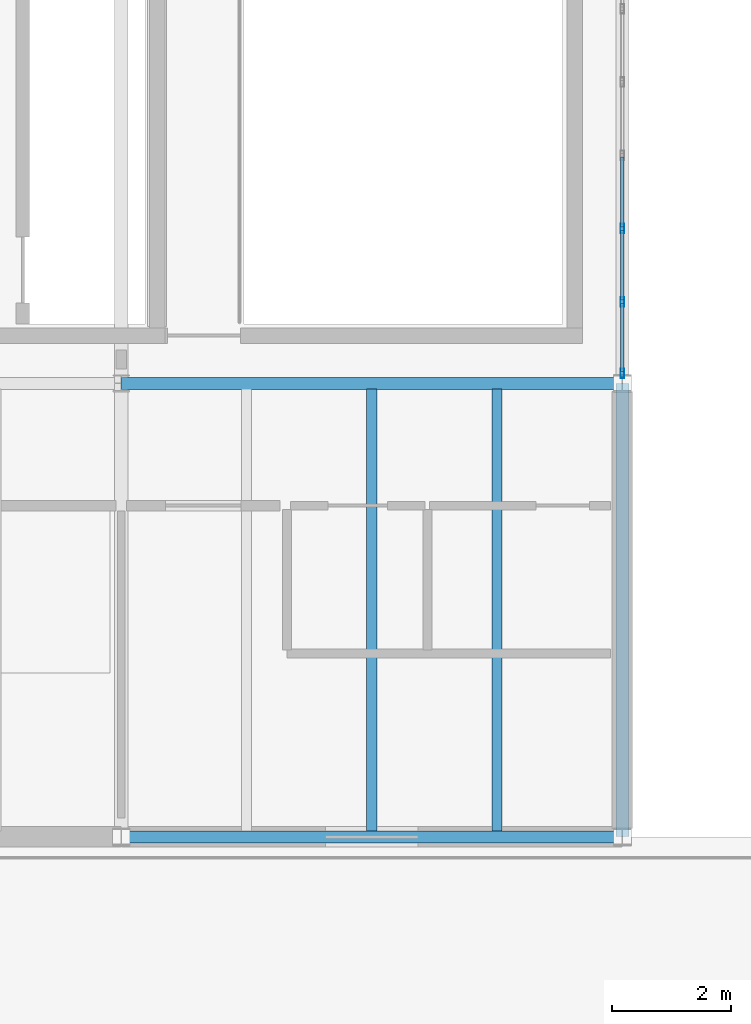
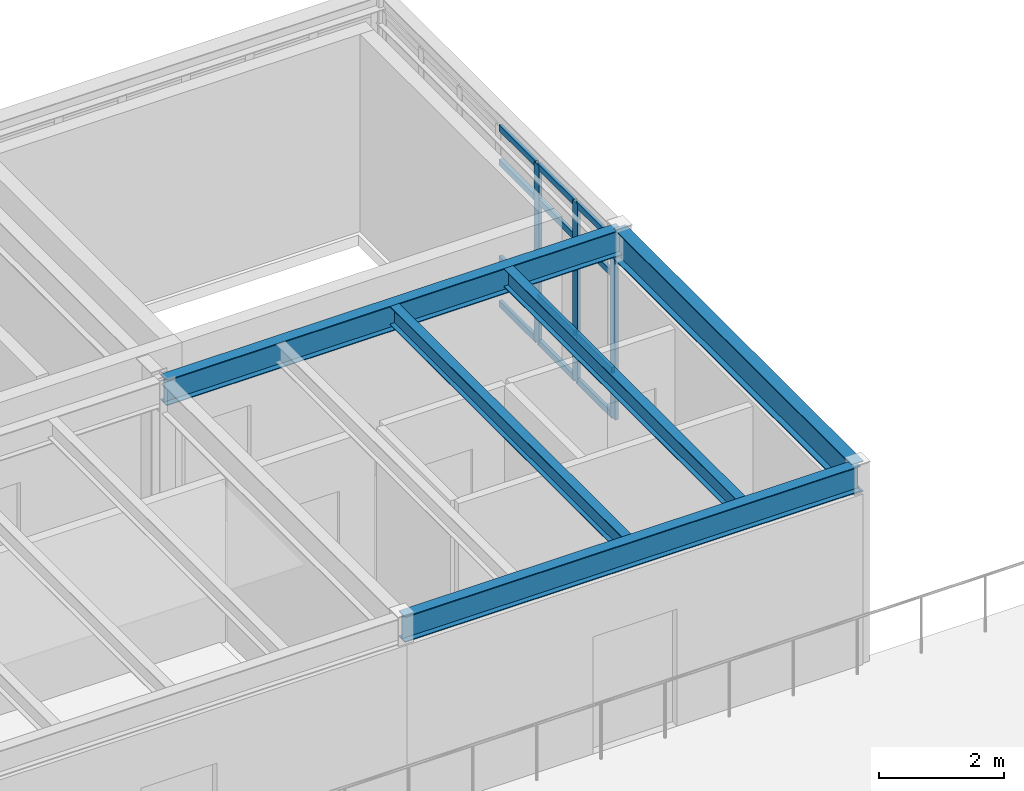
# One storey, part 11 of 26: 15 members, 5 beams, 1 element without a shape of its own.
"""IFC4 building model written with IfcOpenShell, lengths in metres."""

from ifc_helpers import new_model, si_unit, direction, frame, origin, origin_2d, place, context, subcontext, project, spatial, hollow_rectangle, i_section, extrude, material, layer, layer_set, material_profile, profile_set, type_object, element, aggregate, save


model = new_model("IFC4")

# Units and contexts
model_context = context("Model", 3, precision=1e-05, world=origin(), true_north=direction((0.0, 1.0)))
body_context = subcontext(model_context, "Body", "Model", "MODEL_VIEW")
ifc_project = project(units=[si_unit("LENGTHUNIT", "METRE"), si_unit("AREAUNIT", "SQUARE_METRE"), si_unit("VOLUMEUNIT", "CUBIC_METRE"), si_unit("PLANEANGLEUNIT", "RADIAN"), si_unit("MASSUNIT", "GRAM", prefix="KILO")], contexts=[model_context])

# Site, building, storey
site_placement = place(None, origin())
site = spatial("IfcSite", under=ifc_project, at=site_placement, CompositionType="ELEMENT")
building_placement = place(site_placement, origin())
building = spatial("IfcBuilding", under=site, at=building_placement, Name="Montecoro Central Library", CompositionType="ELEMENT")
storey_placement = place(building_placement, frame((0.0, 0.0, 21.419921875)))
storey = spatial("IfcBuildingStorey", under=building, at=storey_placement, Name="L05", CompositionType="ELEMENT", Elevation=21.419921875)

# Beams
ifc_material_1 = material(Name="Steel S355", Category="steel")
ifc_material_profile_1 = material_profile(ifc_material_1, i_section(OverallWidth=0.199951171875, OverallDepth=0.5, WebThickness=0.01025390625, FlangeThickness=0.01611328125, at=origin_2d()), Name="IPE 500")
ifc_profile_set_1 = profile_set([ifc_material_profile_1], Name="Steel S355")
beam_type_1 = type_object("IfcBeamType", Name="BM-G-IPE500", PredefinedType="USERDEFINED", material=ifc_profile_set_1)
for number, where, z_axis, x_axis, name in (
    (1, (100.0048828125, 103.800048828125, 3.5751953125), (1.0, 0.0, 0.0), (0.0, 1.0, 0.0), "V2-L05-BX-1314-P"),
    (2, (100.0048828125, 111.39990234375, 3.5751953125), (1.0, 0.0, 0.0), (0.0, 1.0, 0.0), "V2-L05-BX-1314-Q"),
):
    element("IfcBeam", number, at=place(storey_placement, frame(where, z_axis=z_axis, x_axis=x_axis)), inside=storey, type_object=beam_type_1, Name=name, ObjectType="GIRDER", PredefinedType="USERDEFINED", context=body_context, shape_type="SweptSolid", body=[
        extrude(i_section(OverallWidth=0.199951171875, OverallDepth=0.5, WebThickness=0.01025390625, FlangeThickness=0.01611328125, at=origin_2d()), origin(), (0.0, 0.0, 1.0), 8.39013671875),
    ])
ifc_material_2 = material(Name="Steel S355J2", Category="steel")
ifc_material_profile_2 = material_profile(ifc_material_2, i_section(OverallWidth=0.219970703125, OverallDepth=0.60009765625, WebThickness=0.011962890625, FlangeThickness=0.01904296875, at=origin_2d()), Name="IPE 600")
ifc_profile_set_2 = profile_set([ifc_material_profile_2], Name="Steel S355J2")
beam_type_2 = type_object("IfcBeamType", Name="BM-G-IPE600", PredefinedType="USERDEFINED", material=ifc_profile_set_2)
beam_placement = place(storey_placement, frame((108.39990234375, 103.804931640625, 3.525146484375), z_axis=(0.0, 1.0, 0.0), x_axis=(-1.0, 0.0, 0.0)))
element("IfcBeam", 3, at=beam_placement, inside=storey, type_object=beam_type_2, Name="V2-L05-BY-14-PQ", ObjectType="GIRDER", PredefinedType="USERDEFINED", context=body_context, shape_type="SweptSolid", body=[
    extrude(i_section(OverallWidth=0.219970703125, OverallDepth=0.60009765625, WebThickness=0.011962890625, FlangeThickness=0.01904296875, at=origin_2d()), origin(), (0.0, 0.0, 1.0), 7.590087890625),
])
ifc_material_profile_3 = material_profile(ifc_material_1, i_section(OverallWidth=0.169921875, OverallDepth=0.360107421875, WebThickness=0.008056640625, FlangeThickness=0.0126953125, at=origin_2d()), Name="IPE 360")
ifc_profile_set_3 = profile_set([ifc_material_profile_3], Name="Steel S355")
beam_type_3 = type_object("IfcBeamType", Name="BM-J-IPE360", PredefinedType="JOIST", material=ifc_profile_set_3)
for number, where, z_axis, x_axis, name in (
    (4, (104.199951171875, 103.89697265625, 3.64501953125), (0.0, 1.0, 0.0), (-1.0, 0.0, 0.0), "V2-L05-JS-1314-PQ-2"),
    (5, (106.300048828125, 103.89697265625, 3.64501953125), (0.0, 1.0, 0.0), (-1.0, 0.0, 0.0), "V2-L05-JS-1314-PQ-3"),
):
    element("IfcBeam", number, at=place(storey_placement, frame(where, z_axis=z_axis, x_axis=x_axis)), inside=storey, type_object=beam_type_3, Name=name, PredefinedType="JOIST", context=body_context, shape_type="SweptSolid", body=[
        extrude(i_section(OverallWidth=0.169921875, OverallDepth=0.360107421875, WebThickness=0.008056640625, FlangeThickness=0.0126953125, at=origin_2d()), origin(), (0.0, 0.0, 1.0), 7.406005859375),
    ])

# Curtain wall, members
ifc_material_3 = material(Name="Bronze-anodised aluminium and low-E glazing", Category="aluminium")
ifc_layer = layer(ifc_material_3, 0.159912109375)
ifc_layer_set = layer_set([ifc_layer], Name="Bronze-anodised aluminium and low-E glazing")
curtain_wall_type = type_object("IfcCurtainWallType", Name="CWT-024", PredefinedType="NOTDEFINED", material=ifc_layer_set)
curtain_wall_placement = place(storey_placement, origin())
curtain_wall = element("IfcCurtainWall", 6, at=curtain_wall_placement, inside=storey, type_object=curtain_wall_type, Name="V2-L05-CW-E1", PredefinedType="NOTDEFINED")
ifc_material_4 = material(Name="Bronze-anodised aluminium", Category="aluminium")
ifc_material_profile_4 = material_profile(ifc_material_4, hollow_rectangle(XDim=0.06005859375, YDim=0.159912109375, WallThickness=0.00390625, at=origin_2d()), Name="CWM 160x60x4.0")
ifc_profile_set_4 = profile_set([ifc_material_profile_4], Name="Bronze-anodised aluminium")
member_type_1 = type_object("IfcMemberType", Name="CWM-BRZ-60", PredefinedType="MULLION", material=ifc_profile_set_4)
member_1_placement = place(storey_placement, frame((108.39990234375, 111.568115234375, 0.0), z_axis=(0.0, 0.0, 1.0), x_axis=(-1.0, 0.0, 0.0)))
member_1 = element("IfcMember", 7, at=member_1_placement, type_object=member_type_1, Name="CW-024 mullion 1", PredefinedType="MULLION", context=body_context, shape_type="SweptSolid", body=[
    extrude(hollow_rectangle(XDim=0.06005859375, YDim=0.159912109375, WallThickness=0.00390625, at=origin_2d()), origin(), (0.0, 0.0, 1.0), 3.47998046875),
])
member_2_placement = place(storey_placement, frame((108.39990234375, 112.76611328125, 0.0), z_axis=(0.0, 0.0, 1.0), x_axis=(-1.0, 0.0, 0.0)))
member_2 = element("IfcMember", 8, at=member_2_placement, type_object=member_type_1, Name="CW-024 mullion 2", PredefinedType="MULLION", context=body_context, shape_type="SweptSolid", body=[
    extrude(hollow_rectangle(XDim=0.06005859375, YDim=0.159912109375, WallThickness=0.00390625, at=origin_2d()), origin(), (0.0, 0.0, 1.0), 3.47998046875),
])
member_3_placement = place(storey_placement, frame((108.39990234375, 113.994384765625, 0.0), z_axis=(0.0, 0.0, 1.0), x_axis=(-1.0, 0.0, 0.0)))
member_3 = element("IfcMember", 9, at=member_3_placement, type_object=member_type_1, Name="CW-024 mullion 3", PredefinedType="MULLION", context=body_context, shape_type="SweptSolid", body=[
    extrude(hollow_rectangle(XDim=0.06005859375, YDim=0.159912109375, WallThickness=0.00390625, at=origin_2d()), origin(), (0.0, 0.0, 1.0), 3.47998046875),
])
ifc_material_profile_5 = material_profile(ifc_material_4, hollow_rectangle(XDim=0.06005859375, YDim=0.1201171875, WallThickness=0.00390625, at=origin_2d()), Name="CWT 120x60x4.0")
ifc_profile_set_5 = profile_set([ifc_material_profile_5], Name="Bronze-anodised aluminium")
member_type_2 = type_object("IfcMemberType", Name="CWT-BRZ-60", PredefinedType="USERDEFINED", material=ifc_profile_set_5)
member_4_placement = place(storey_placement, frame((108.39990234375, 111.597900390625, 0.030029296875), z_axis=(0.0, 1.0, 0.0), x_axis=(-1.0, 0.0, 0.0)))
member_4 = element("IfcMember", 10, at=member_4_placement, type_object=member_type_2, Name="CW-024 transom 1.1", ObjectType="TRANSOM", PredefinedType="USERDEFINED", context=body_context, shape_type="SweptSolid", body=[
    extrude(hollow_rectangle(XDim=0.06005859375, YDim=0.1201171875, WallThickness=0.00390625, at=origin_2d()), origin(), (0.0, 0.0, 1.0), 1.13818359375),
])
member_5_placement = place(storey_placement, frame((108.39990234375, 111.597900390625, 0.900146484375), z_axis=(0.0, 1.0, 0.0), x_axis=(-1.0, 0.0, 0.0)))
member_5 = element("IfcMember", 11, at=member_5_placement, type_object=member_type_2, Name="CW-024 transom 1.2", ObjectType="TRANSOM", PredefinedType="USERDEFINED", context=body_context, shape_type="SweptSolid", body=[
    extrude(hollow_rectangle(XDim=0.06005859375, YDim=0.1201171875, WallThickness=0.00390625, at=origin_2d()), origin(), (0.0, 0.0, 1.0), 1.13818359375),
])
member_6_placement = place(storey_placement, frame((108.39990234375, 111.597900390625, 2.780029296875), z_axis=(0.0, 1.0, 0.0), x_axis=(-1.0, 0.0, 0.0)))
member_6 = element("IfcMember", 12, at=member_6_placement, type_object=member_type_2, Name="CW-024 transom 1.3", ObjectType="TRANSOM", PredefinedType="USERDEFINED", context=body_context, shape_type="SweptSolid", body=[
    extrude(hollow_rectangle(XDim=0.06005859375, YDim=0.1201171875, WallThickness=0.00390625, at=origin_2d()), origin(), (0.0, 0.0, 1.0), 1.13818359375),
])
member_7_placement = place(storey_placement, frame((108.39990234375, 111.597900390625, 3.4501953125), z_axis=(0.0, 1.0, 0.0), x_axis=(-1.0, 0.0, 0.0)))
member_7 = element("IfcMember", 13, at=member_7_placement, type_object=member_type_2, Name="CW-024 transom 1.4", ObjectType="TRANSOM", PredefinedType="USERDEFINED", context=body_context, shape_type="SweptSolid", body=[
    extrude(hollow_rectangle(XDim=0.06005859375, YDim=0.1201171875, WallThickness=0.00390625, at=origin_2d()), origin(), (0.0, 0.0, 1.0), 1.13818359375),
])
member_8_placement = place(storey_placement, frame((108.39990234375, 112.796142578125, 0.030029296875), z_axis=(0.0, 1.0, 0.0), x_axis=(-1.0, 0.0, 0.0)))
member_8 = element("IfcMember", 14, at=member_8_placement, type_object=member_type_2, Name="CW-024 transom 2.1", ObjectType="TRANSOM", PredefinedType="USERDEFINED", context=body_context, shape_type="SweptSolid", body=[
    extrude(hollow_rectangle(XDim=0.06005859375, YDim=0.1201171875, WallThickness=0.00390625, at=origin_2d()), origin(), (0.0, 0.0, 1.0), 1.168212890625),
])
member_9_placement = place(storey_placement, frame((108.39990234375, 112.796142578125, 0.900146484375), z_axis=(0.0, 1.0, 0.0), x_axis=(-1.0, 0.0, 0.0)))
member_9 = element("IfcMember", 15, at=member_9_placement, type_object=member_type_2, Name="CW-024 transom 2.2", ObjectType="TRANSOM", PredefinedType="USERDEFINED", context=body_context, shape_type="SweptSolid", body=[
    extrude(hollow_rectangle(XDim=0.06005859375, YDim=0.1201171875, WallThickness=0.00390625, at=origin_2d()), origin(), (0.0, 0.0, 1.0), 1.168212890625),
])
member_10_placement = place(storey_placement, frame((108.39990234375, 112.796142578125, 2.780029296875), z_axis=(0.0, 1.0, 0.0), x_axis=(-1.0, 0.0, 0.0)))
member_10 = element("IfcMember", 16, at=member_10_placement, type_object=member_type_2, Name="CW-024 transom 2.3", ObjectType="TRANSOM", PredefinedType="USERDEFINED", context=body_context, shape_type="SweptSolid", body=[
    extrude(hollow_rectangle(XDim=0.06005859375, YDim=0.1201171875, WallThickness=0.00390625, at=origin_2d()), origin(), (0.0, 0.0, 1.0), 1.168212890625),
])
member_11_placement = place(storey_placement, frame((108.39990234375, 112.796142578125, 3.4501953125), z_axis=(0.0, 1.0, 0.0), x_axis=(-1.0, 0.0, 0.0)))
member_11 = element("IfcMember", 17, at=member_11_placement, type_object=member_type_2, Name="CW-024 transom 2.4", ObjectType="TRANSOM", PredefinedType="USERDEFINED", context=body_context, shape_type="SweptSolid", body=[
    extrude(hollow_rectangle(XDim=0.06005859375, YDim=0.1201171875, WallThickness=0.00390625, at=origin_2d()), origin(), (0.0, 0.0, 1.0), 1.168212890625),
])
member_12_placement = place(storey_placement, frame((108.39990234375, 114.0244140625, 0.030029296875), z_axis=(0.0, 1.0, 0.0), x_axis=(-1.0, 0.0, 0.0)))
member_12 = element("IfcMember", 18, at=member_12_placement, type_object=member_type_2, Name="CW-024 transom 3.1", ObjectType="TRANSOM", PredefinedType="USERDEFINED", context=body_context, shape_type="SweptSolid", body=[
    extrude(hollow_rectangle(XDim=0.06005859375, YDim=0.1201171875, WallThickness=0.00390625, at=origin_2d()), origin(), (0.0, 0.0, 1.0), 1.16796875),
])
member_13_placement = place(storey_placement, frame((108.39990234375, 114.0244140625, 0.900146484375), z_axis=(0.0, 1.0, 0.0), x_axis=(-1.0, 0.0, 0.0)))
member_13 = element("IfcMember", 19, at=member_13_placement, type_object=member_type_2, Name="CW-024 transom 3.2", ObjectType="TRANSOM", PredefinedType="USERDEFINED", context=body_context, shape_type="SweptSolid", body=[
    extrude(hollow_rectangle(XDim=0.06005859375, YDim=0.1201171875, WallThickness=0.00390625, at=origin_2d()), origin(), (0.0, 0.0, 1.0), 1.16796875),
])
member_14_placement = place(storey_placement, frame((108.39990234375, 114.0244140625, 2.780029296875), z_axis=(0.0, 1.0, 0.0), x_axis=(-1.0, 0.0, 0.0)))
member_14 = element("IfcMember", 20, at=member_14_placement, type_object=member_type_2, Name="CW-024 transom 3.3", ObjectType="TRANSOM", PredefinedType="USERDEFINED", context=body_context, shape_type="SweptSolid", body=[
    extrude(hollow_rectangle(XDim=0.06005859375, YDim=0.1201171875, WallThickness=0.00390625, at=origin_2d()), origin(), (0.0, 0.0, 1.0), 1.16796875),
])
member_15_placement = place(storey_placement, frame((108.39990234375, 114.0244140625, 3.4501953125), z_axis=(0.0, 1.0, 0.0), x_axis=(-1.0, 0.0, 0.0)))
member_15 = element("IfcMember", 21, at=member_15_placement, type_object=member_type_2, Name="CW-024 transom 3.4", ObjectType="TRANSOM", PredefinedType="USERDEFINED", context=body_context, shape_type="SweptSolid", body=[
    extrude(hollow_rectangle(XDim=0.06005859375, YDim=0.1201171875, WallThickness=0.00390625, at=origin_2d()), origin(), (0.0, 0.0, 1.0), 1.16796875),
])
aggregate(curtain_wall, [member_1, member_2, member_3, member_4, member_5, member_6, member_7, member_8, member_9, member_10, member_11, member_12, member_13, member_14, member_15])

save(model, "model.ifc")
